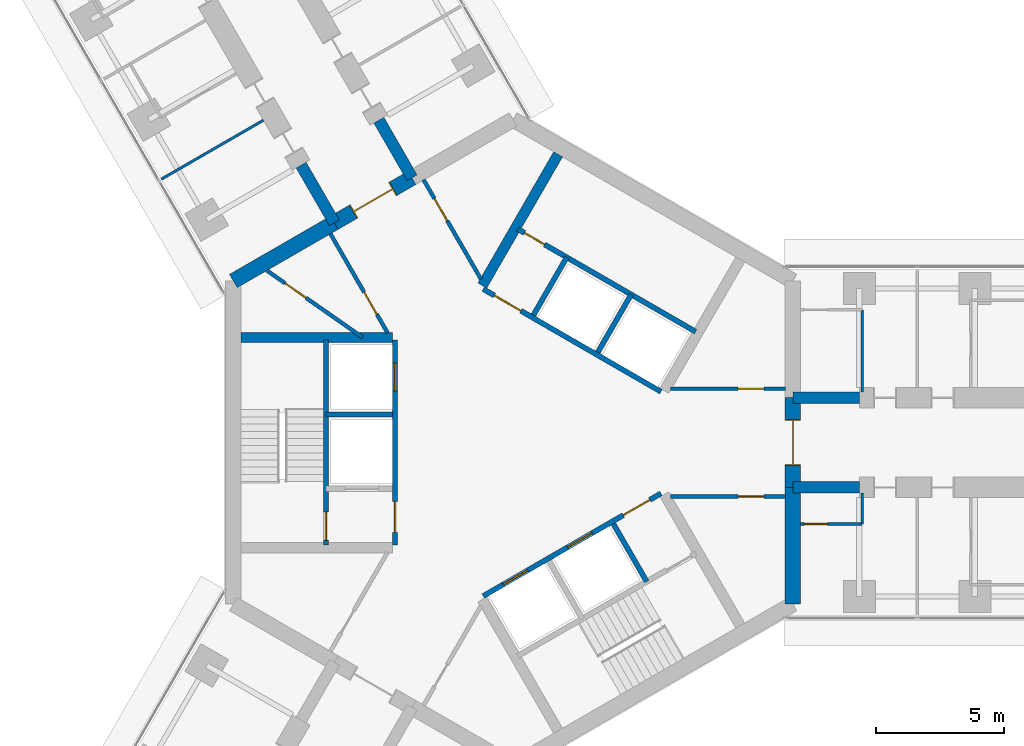
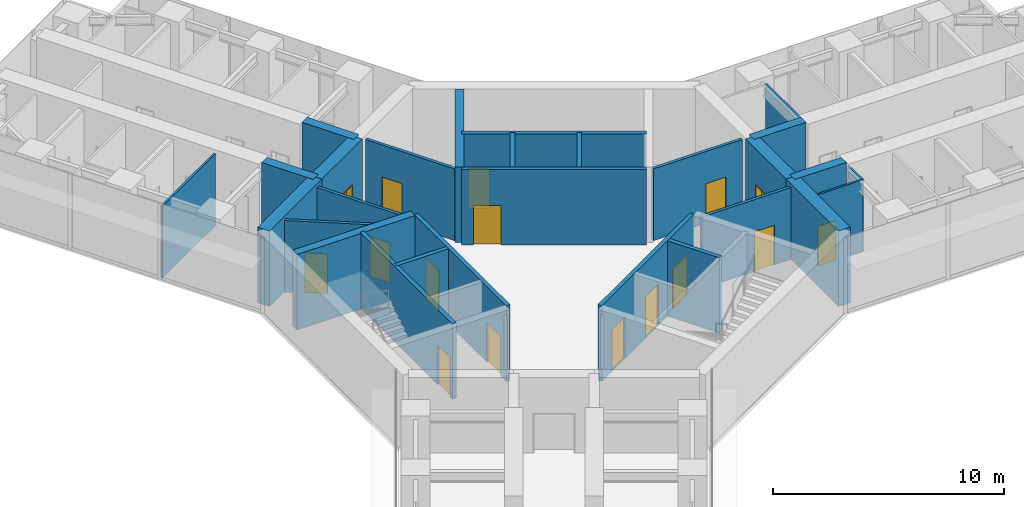
# One storey, part 16 of 23: 28 walls, 16 doors, 16 openings.
"""IFC4 building model written with IfcOpenShell, lengths in metres."""

from ifc_helpers import new_model, si_unit, direction, frame, frame_2d, origin, place, context, subcontext, project, spatial, rectangle, extrude, material, layer, layer_set, type_object, element, fill, save


model = new_model("IFC4")

# Units and contexts
model_context = context("Model", 3, precision=1e-05, world=origin(), true_north=direction((0.0, 1.0)))
body_context = subcontext(model_context, "Body", "Model", "MODEL_VIEW")
ifc_project = project(units=[si_unit("LENGTHUNIT", "METRE"), si_unit("AREAUNIT", "SQUARE_METRE"), si_unit("VOLUMEUNIT", "CUBIC_METRE"), si_unit("PLANEANGLEUNIT", "RADIAN"), si_unit("MASSUNIT", "GRAM", prefix="KILO")], contexts=[model_context])

# Site, building, storey
site_placement = place(None, origin())
site = spatial("IfcSite", under=ifc_project, at=site_placement, CompositionType="ELEMENT")
building_placement = place(site_placement, origin())
building = spatial("IfcBuilding", under=site, at=building_placement, Name="Upepo Twin Towers", CompositionType="ELEMENT")
storey_placement = place(building_placement, frame((0.0, 0.0, 157.5)))
storey = spatial("IfcBuildingStorey", under=building, at=storey_placement, Name="L38", CompositionType="ELEMENT", Elevation=157.5)

# Walls
ifc_material_1 = material(Name="Concrete C60/75", Category="concrete")
ifc_layer_1 = layer(ifc_material_1, 0.449951171875)
ifc_layer_set_1 = layer_set([ifc_layer_1], Name="Concrete C60/75")
wall_type_1 = type_object("IfcWallType", Name="Buttress wall 450 RC", PredefinedType="SHEAR", material=ifc_layer_set_1)
for number, where, z_axis, x_axis, name in (
    (1, (10.908447265625, 1.75, 0.0), (0.0, 0.0, 1.0), (1.0, 0.0, 0.0), "T1 wing A buttress wall L"),
    (2, (10.908447265625, -1.75, 0.0), (0.0, 0.0, 1.0), (1.0, 0.0, 0.0), "T1 wing A buttress wall R"),
):
    element("IfcWall", number, at=place(storey_placement, frame(where, z_axis=z_axis, x_axis=x_axis)), inside=storey, type_object=wall_type_1, Name=name, PredefinedType="SHEAR", context=body_context, shape_type="SweptSolid", body=[
        extrude(rectangle(XDim=2.591552734375, YDim=0.449951171875, at=frame_2d((1.2958984375, 0.0))), origin(), (0.0, 0.0, 1.0), 4.0),
    ])
for number, where, z_axis, x_axis, name in (
    (3, (-6.9697265625, 8.57177734375, 0.0), (0.0, 0.0, 1.0), (-0.499988811324, 0.866031863473, 0.0), "T1 wing B buttress wall L"),
    (4, (-3.938720703125, 10.32177734375, 0.0), (0.0, 0.0, 1.0), (-0.499918158782, 0.866072649678, 0.0), "T1 wing B buttress wall R"),
):
    element("IfcWall", number, at=place(storey_placement, frame(where, z_axis=z_axis, x_axis=x_axis)), inside=storey, type_object=wall_type_1, Name=name, PredefinedType="SHEAR", context=body_context, shape_type="SweptSolid", body=[
        extrude(rectangle(XDim=2.591796875, YDim=0.449951171875, at=frame_2d((1.2958984375, 0.0))), origin(), (0.0, 0.0, 1.0), 4.0),
    ])
ifc_material_2 = material(Name="Concrete C60/75", Category="concrete")
ifc_layer_2 = layer(ifc_material_2, 0.60009765625)
ifc_layer_set_2 = layer_set([ifc_layer_2], Name="Concrete C60/75")
wall_type_2 = type_object("IfcWallType", Name="Core wall 600 RC", PredefinedType="SHEAR", material=ifc_layer_set_2)
wall_1_placement = place(storey_placement, frame((10.908447265625, -6.2978515625, 0.0), z_axis=(0.0, 0.0, 1.0), x_axis=(0.0, 1.0, 0.0)))
element("IfcWall", 5, at=wall_1_placement, inside=storey, type_object=wall_type_2, Name="T1 core wall 000 R", PredefinedType="SHEAR", context=body_context, shape_type="SweptSolid", body=[
    extrude(rectangle(XDim=4.5478515625, YDim=0.60009765625, at=frame_2d((2.27392578125, 0.0))), origin(), (0.0, 0.0, 1.0), 4.0),
])

# Wall, opening, door
wall_2_placement = place(storey_placement, frame((10.908447265625, -1.75, 0.0), z_axis=(0.0, 0.0, 1.0), x_axis=(0.0, 1.0, 0.0)))
wall_2 = element("IfcWall", 6, at=wall_2_placement, inside=storey, type_object=wall_type_2, Name="T1 core wall 000", PredefinedType="SHEAR", context=body_context, shape_type="SweptSolid", body=[
    extrude(rectangle(XDim=3.5, YDim=0.60009765625, at=frame_2d((1.75, 0.0))), origin(), (0.0, 0.0, 1.0), 4.0),
])
opening_1_placement = place(wall_2_placement, frame((0.85009765625, 0.0, 0.0)))
opening_1 = element("IfcOpeningElement", 7, at=opening_1_placement, cuts=wall_2, Name="Opening D2", PredefinedType="OPENING", context=body_context, shape_type="SweptSolid", body=[
    extrude(rectangle(XDim=1.800048828125, YDim=2.10009765625, at=frame_2d((0.89990234375, 1.050048828125))), frame((0.0, 0.31005859375, 0.0), z_axis=(0.0, -1.0, 0.0), x_axis=(1.0, 0.0, 0.0)), (0.0, 0.0, 1.0), 0.6201171875),
])
ifc_material_3 = material(Name="Timber doorset", Category="wood")
door_type_1 = type_object("IfcDoorType", Name="Corridor double door 1800 FD60", OperationType="DOUBLE_DOOR_DOUBLE_SWING", PredefinedType="DOOR", material=ifc_material_3)
door_1_placement = place(opening_1_placement, origin())
door_1 = element("IfcDoor", 8, at=door_1_placement, inside=storey, type_object=door_type_1, Name="T1 L38 wing A corridor door", OperationType="DOUBLE_DOOR_DOUBLE_SWING", OverallHeight=2.10009765625, OverallWidth=1.800048828125, PredefinedType="DOOR", context=body_context, shape_type="SweptSolid", body=[
    extrude(rectangle(XDim=1.720048828125, YDim=2.06009765625, at=frame_2d((0.89990234375, 1.030029296875))), frame((0.0, 0.02490234375, 0.0), z_axis=(0.0, -1.0, 0.0), x_axis=(1.0, 0.0, 0.0)), (0.0, 0.0, 1.0), 0.050048828125),
    extrude(rectangle(XDim=0.04, YDim=2.10009765625, at=frame_2d((0.02001953125, 1.050048828125))), frame((0.0, 0.2998046875, 0.0), z_axis=(0.0, -1.0, 0.0), x_axis=(1.0, 0.0, 0.0)), (0.0, 0.0, 1.0), 0.599609375),
    extrude(rectangle(XDim=0.04, YDim=2.10009765625, at=frame_2d((1.780029296875, 1.050048828125))), frame((0.0, 0.2998046875, 0.0), z_axis=(0.0, -1.0, 0.0), x_axis=(1.0, 0.0, 0.0)), (0.0, 0.0, 1.0), 0.599609375),
    extrude(rectangle(XDim=1.720048828125, YDim=0.04, at=frame_2d((0.89990234375, 2.080078125))), frame((0.0, 0.2998046875, 0.0), z_axis=(0.0, -1.0, 0.0), x_axis=(1.0, 0.0, 0.0)), (0.0, 0.0, 1.0), 0.599609375),
])
fill(opening_1, door_1)

wall_3_placement = place(storey_placement, frame((-3.938720703125, 10.32177734375, 0.0), z_axis=(0.0, 0.0, 1.0), x_axis=(-0.866019471182, -0.500010275428, 0.0)))
wall_3 = element("IfcWall", 9, at=wall_3_placement, inside=storey, type_object=wall_type_2, Name="T1 core wall 120", PredefinedType="SHEAR", context=body_context, shape_type="SweptSolid", body=[
    extrude(rectangle(XDim=3.5, YDim=0.60009765625, at=frame_2d((1.75, 0.0))), origin(), (0.0, 0.0, 1.0), 4.0),
])
opening_2_placement = place(wall_3_placement, frame((0.85009765625, 0.0, 0.0)))
opening_2 = element("IfcOpeningElement", 10, at=opening_2_placement, cuts=wall_3, Name="Opening D2", PredefinedType="OPENING", context=body_context, shape_type="SweptSolid", body=[
    extrude(rectangle(XDim=1.800048828125, YDim=2.10009765625, at=frame_2d((0.89990234375, 1.050048828125))), frame((0.0, 0.31005859375, 0.0), z_axis=(0.0, -1.0, 0.0), x_axis=(1.0, 0.0, 0.0)), (0.0, 0.0, 1.0), 0.6201171875),
])
door_2_placement = place(opening_2_placement, origin())
door_2 = element("IfcDoor", 11, at=door_2_placement, inside=storey, type_object=door_type_1, Name="T1 L38 wing B corridor door", OperationType="DOUBLE_DOOR_DOUBLE_SWING", OverallHeight=2.10009765625, OverallWidth=1.800048828125, PredefinedType="DOOR", context=body_context, shape_type="SweptSolid", body=[
    extrude(rectangle(XDim=1.720048828125, YDim=2.06009765625, at=frame_2d((0.89990234375, 1.030029296875))), frame((0.0, 0.02490234375, 0.0), z_axis=(0.0, -1.0, 0.0), x_axis=(1.0, 0.0, 0.0)), (0.0, 0.0, 1.0), 0.050048828125),
    extrude(rectangle(XDim=0.04, YDim=2.10009765625, at=frame_2d((0.02001953125, 1.050048828125))), frame((0.0, 0.2998046875, 0.0), z_axis=(0.0, -1.0, 0.0), x_axis=(1.0, 0.0, 0.0)), (0.0, 0.0, 1.0), 0.599609375),
    extrude(rectangle(XDim=0.04, YDim=2.10009765625, at=frame_2d((1.780029296875, 1.050048828125))), frame((0.0, 0.2998046875, 0.0), z_axis=(0.0, -1.0, 0.0), x_axis=(1.0, 0.0, 0.0)), (0.0, 0.0, 1.0), 0.599609375),
    extrude(rectangle(XDim=1.720048828125, YDim=0.04, at=frame_2d((0.89990234375, 2.080078125))), frame((0.0, 0.2998046875, 0.0), z_axis=(0.0, -1.0, 0.0), x_axis=(1.0, 0.0, 0.0)), (0.0, 0.0, 1.0), 0.599609375),
])
fill(opening_2, door_2)

# Walls
wall_4_placement = place(storey_placement, frame((-6.9697265625, 8.57177734375, 0.0), z_axis=(0.0, 0.0, 1.0), x_axis=(-0.866034513004, -0.499984222037, 0.0)))
element("IfcWall", 12, at=wall_4_placement, inside=storey, type_object=wall_type_2, Name="T1 core wall 120 L", PredefinedType="SHEAR", context=body_context, shape_type="SweptSolid", body=[
    extrude(rectangle(XDim=4.548095703125, YDim=0.60009765625, at=frame_2d((2.27392578125, 0.0))), origin(), (0.0, 0.0, 1.0), 4.0),
])
ifc_material_4 = material(Name="Gypsum board on steel studs", Category="steel")
ifc_layer_3 = layer(ifc_material_4, 0.10009765625)
ifc_layer_set_3 = layer_set([ifc_layer_3], Name="Office partition 100 stud")
wall_type_3 = type_object("IfcWallType", Name="Office partition 100 stud", PredefinedType="PARTITIONING", material=ifc_layer_set_3)
wall_5_placement = place(storey_placement, frame((13.60791015625, 1.97509765625, 0.0), z_axis=(0.0, 0.0, 1.0), x_axis=(0.0, 1.0, 0.0)))
element("IfcWall", 13, at=wall_5_placement, inside=storey, type_object=wall_type_3, Name="T1 WC bay partition AL end at 13.61", PredefinedType="PARTITIONING", context=body_context, shape_type="SweptSolid", body=[
    extrude(rectangle(XDim=3.199951171875, YDim=0.10009765625, at=frame_2d((1.60009765625, 0.0))), origin(), (0.0, 0.0, 1.0), 3.800048828125),
])

# Wall, opening, door
wall_6_placement = place(storey_placement, frame((11.2080078125, -3.175048828125, 0.0), z_axis=(0.0, 0.0, 1.0), x_axis=(1.0, 0.0, 0.0)))
wall_6 = element("IfcWall", 14, at=wall_6_placement, inside=storey, type_object=wall_type_3, Name="T1 WC bay partition AR at 11.21", PredefinedType="PARTITIONING", context=body_context, shape_type="SweptSolid", body=[
    extrude(rectangle(XDim=2.39990234375, YDim=0.10009765625, at=frame_2d((1.199951171875, 0.0))), origin(), (0.0, 0.0, 1.0), 3.800048828125),
])
opening_3_placement = place(wall_6_placement, frame((0.14990234375, 0.0, 0.0)))
opening_3 = element("IfcOpeningElement", 15, at=opening_3_placement, cuts=wall_6, Name="Opening D14", PredefinedType="OPENING", context=body_context, shape_type="SweptSolid", body=[
    extrude(rectangle(XDim=0.89990234375, YDim=2.10009765625, at=frame_2d((0.449951171875, 1.050048828125))), frame((0.0, 0.06005859375, 0.0), z_axis=(0.0, -1.0, 0.0), x_axis=(1.0, 0.0, 0.0)), (0.0, 0.0, 1.0), 0.1201171875),
])
ifc_material_5 = material(Name="Timber doorset", Category="wood")
door_type_2 = type_object("IfcDoorType", Name="Office door 900 FD30", OperationType="SINGLE_SWING_LEFT", PredefinedType="DOOR", material=ifc_material_5)
door_3_placement = place(opening_3_placement, origin())
door_3 = element("IfcDoor", 16, at=door_3_placement, inside=storey, type_object=door_type_2, Name="T1 L38 WC bay inner room door", OperationType="SINGLE_SWING_LEFT", OverallHeight=2.10009765625, OverallWidth=0.89990234375, PredefinedType="DOOR", context=body_context, shape_type="SweptSolid", body=[
    extrude(rectangle(XDim=0.89990234375, YDim=2.10009765625, at=frame_2d((0.449951171875, 1.050048828125))), frame((0.0, 0.02490234375, 0.0), z_axis=(0.0, -1.0, 0.0), x_axis=(1.0, 0.0, 0.0)), (0.0, 0.0, 1.0), 0.050048828125),
])
fill(opening_3, door_3)

# Walls
wall_7_placement = place(storey_placement, frame((13.60791015625, -1.97509765625, 0.0), z_axis=(0.0, 0.0, 1.0), x_axis=(0.0, -1.0, 0.0)))
element("IfcWall", 17, at=wall_7_placement, inside=storey, type_object=wall_type_3, Name="T1 WC bay partition AR end at 13.61", PredefinedType="PARTITIONING", context=body_context, shape_type="SweptSolid", body=[
    extrude(rectangle(XDim=1.199951171875, YDim=0.10009765625, at=frame_2d((0.60009765625, 0.0))), origin(), (0.0, 0.0, 1.0), 3.800048828125),
])
wall_8_placement = place(storey_placement, frame((-9.737060546875, 12.56494140625, 0.0), z_axis=(0.0, 0.0, 1.0), x_axis=(-0.866016770315, -0.500014953309, 0.0)))
element("IfcWall", 18, at=wall_8_placement, inside=storey, type_object=wall_type_3, Name="T1 partition BL at 15.75", PredefinedType="PARTITIONING", context=body_context, shape_type="SweptSolid", body=[
    extrude(rectangle(XDim=4.599853515625, YDim=0.10009765625, at=frame_2d((2.2998046875, 0.0))), origin(), (0.0, 0.0, 1.0), 3.800048828125),
])

# Wall, opening, door
ifc_material_6 = material(Name="Concrete C40/50", Category="concrete")
ifc_layer_4 = layer(ifc_material_6, 0.199951171875)
ifc_layer_set_4 = layer_set([ifc_layer_4], Name="Concrete C40/50")
wall_type_4 = type_object("IfcWallType", Name="Shaft wall 200 RC", PredefinedType="SHEAR", material=ifc_layer_set_4)
wall_9_placement = place(storey_placement, frame((5.76416015625, 1.983642578125, 0.0), z_axis=(0.0, 0.0, 1.0), x_axis=(-0.866026010844, 0.49999894854, 0.0)))
wall_9 = element("IfcWall", 19, at=wall_9_placement, inside=storey, type_object=wall_type_4, Name="T1 core W60 front wall", PredefinedType="SHEAR", context=body_context, shape_type="SweptSolid", body=[
    extrude(rectangle(XDim=8.0, YDim=0.199951171875, at=frame_2d((4.0, 0.0))), origin(), (0.0, 0.0, 1.0), 4.0),
])
opening_4_placement = place(wall_9_placement, frame((6.300048828125, 0.0, 0.0)))
opening_4 = element("IfcOpeningElement", 20, at=opening_4_placement, cuts=wall_9, Name="Opening D4", PredefinedType="OPENING", context=body_context, shape_type="SweptSolid", body=[
    extrude(rectangle(XDim=1.199951171875, YDim=2.10009765625, at=frame_2d((0.60009765625, 1.050048828125))), frame((0.0, 0.10986328125, 0.0), z_axis=(0.0, -1.0, 0.0), x_axis=(1.0, 0.0, 0.0)), (0.0, 0.0, 1.0), 0.219970703125),
])
ifc_material_7 = material(Name="Timber doorset", Category="wood")
door_type_3 = type_object("IfcDoorType", Name="Lobby door 1200 FD60", OperationType="SINGLE_SWING_LEFT", PredefinedType="DOOR", material=ifc_material_7)
door_4_placement = place(opening_4_placement, origin())
door_4 = element("IfcDoor", 21, at=door_4_placement, inside=storey, type_object=door_type_3, Name="T1 L38 W60 lobby door", OperationType="SINGLE_SWING_RIGHT", OverallHeight=2.10009765625, OverallWidth=1.199951171875, PredefinedType="DOOR", context=body_context, shape_type="SweptSolid", body=[
    extrude(rectangle(XDim=1.199951171875, YDim=2.10009765625, at=frame_2d((0.60009765625, 1.050048828125))), frame((0.0, 0.02490234375, 0.0), z_axis=(0.0, -1.0, 0.0), x_axis=(1.0, 0.0, 0.0)), (0.0, 0.0, 1.0), 0.050048828125),
])
fill(opening_4, door_4)

# Walls
for number, where, z_axis, x_axis, name in (
    (22, (3.302734375, 3.520263671875, 0.0), (0.0, 0.0, 1.0), (0.499936506574, 0.866062058628, 0.0), "T1 core W60 shaft divider"),
    (23, (0.791259765625, 4.97021484375, 0.0), (0.0, 0.0, 1.0), (0.499936506574, 0.866062058628, 0.0), "T1 core W60 lobby wall"),
):
    element("IfcWall", number, at=place(storey_placement, frame(where, z_axis=z_axis, x_axis=x_axis)), inside=storey, type_object=wall_type_4, Name=name, PredefinedType="SHEAR", context=body_context, shape_type="SweptSolid", body=[
        extrude(rectangle(XDim=2.599853515625, YDim=0.199951171875, at=frame_2d((1.2998046875, 0.0))), origin(), (0.0, 0.0, 1.0), 4.0),
    ])

# Wall, opening, door
wall_10_placement = place(storey_placement, frame((7.114013671875, 4.322021484375, 0.0), z_axis=(0.0, 0.0, 1.0), x_axis=(-0.866026010844, 0.49999894854, 0.0)))
wall_10 = element("IfcWall", 24, at=wall_10_placement, inside=storey, type_object=wall_type_4, Name="T1 core W60 stair wall", PredefinedType="SHEAR", context=body_context, shape_type="SweptSolid", body=[
    extrude(rectangle(XDim=8.0, YDim=0.199951171875, at=frame_2d((4.0, 0.0))), origin(), (0.0, 0.0, 1.0), 4.0),
])
opening_5_placement = place(wall_10_placement, frame((6.800048828125, 0.0, 0.0)))
opening_5 = element("IfcOpeningElement", 25, at=opening_5_placement, cuts=wall_10, Name="Opening D9", PredefinedType="OPENING", context=body_context, shape_type="SweptSolid", body=[
    extrude(rectangle(XDim=0.89990234375, YDim=2.10009765625, at=frame_2d((0.449951171875, 1.050048828125))), frame((0.0, 0.10986328125, 0.0), z_axis=(0.0, -1.0, 0.0), x_axis=(1.0, 0.0, 0.0)), (0.0, 0.0, 1.0), 0.219970703125),
])
ifc_material_8 = material(Name="Timber doorset", Category="wood")
door_type_4 = type_object("IfcDoorType", Name="Riser door 900 FD60", OperationType="SINGLE_SWING_LEFT", PredefinedType="DOOR", material=ifc_material_8)
door_5_placement = place(opening_5_placement, origin())
door_5 = element("IfcDoor", 26, at=door_5_placement, inside=storey, type_object=door_type_4, Name="T1 L38 riser door", OperationType="SINGLE_SWING_RIGHT", OverallHeight=2.10009765625, OverallWidth=0.89990234375, PredefinedType="DOOR", context=body_context, shape_type="SweptSolid", body=[
    extrude(rectangle(XDim=0.89990234375, YDim=2.10009765625, at=frame_2d((0.449951171875, 1.050048828125))), frame((0.0, 0.02490234375, 0.0), z_axis=(0.0, -1.0, 0.0), x_axis=(1.0, 0.0, 0.0)), (0.0, 0.0, 1.0), 0.050048828125),
])
fill(opening_5, door_5)

# Wall, openings, doors
wall_11_placement = place(storey_placement, frame((-4.60009765625, 4.0, 0.0), z_axis=(0.0, 0.0, 1.0), x_axis=(0.0, -1.0, 0.0)))
wall_11 = element("IfcWall", 27, at=wall_11_placement, inside=storey, type_object=wall_type_4, Name="T1 core W180 front wall", PredefinedType="SHEAR", context=body_context, shape_type="SweptSolid", body=[
    extrude(rectangle(XDim=8.0, YDim=0.199951171875, at=frame_2d((4.0, 0.0))), origin(), (0.0, 0.0, 1.0), 4.0),
])
opening_6_placement = place(wall_11_placement, frame((6.300048828125, 0.0, 0.0)))
opening_6 = element("IfcOpeningElement", 28, at=opening_6_placement, cuts=wall_11, Name="Opening D4", PredefinedType="OPENING", context=body_context, shape_type="SweptSolid", body=[
    extrude(rectangle(XDim=1.199951171875, YDim=2.10009765625, at=frame_2d((0.60009765625, 1.050048828125))), frame((0.0, 0.10986328125, 0.0), z_axis=(0.0, -1.0, 0.0), x_axis=(1.0, 0.0, 0.0)), (0.0, 0.0, 1.0), 0.219970703125),
])
opening_7_placement = place(wall_11_placement, frame((0.89990234375, 0.0, 0.0)))
opening_7 = element("IfcOpeningElement", 29, at=opening_7_placement, cuts=wall_11, Name="Opening LD1", PredefinedType="OPENING", context=body_context, shape_type="SweptSolid", body=[
    extrude(rectangle(XDim=1.10009765625, YDim=2.199951171875, at=frame_2d((0.550048828125, 1.10009765625))), frame((0.0, 0.10986328125, 0.0), z_axis=(0.0, -1.0, 0.0), x_axis=(1.0, 0.0, 0.0)), (0.0, 0.0, 1.0), 0.219970703125),
])
ifc_material_9 = material(Name="Steel doorset", Category="steel")
door_type_5 = type_object("IfcDoorType", Name="Lift landing door 1100", OperationType="DOUBLE_DOOR_SLIDING", PredefinedType="DOOR", material=ifc_material_9)
door_6_placement = place(opening_7_placement, origin())
door_6 = element("IfcDoor", 30, at=door_6_placement, inside=storey, type_object=door_type_5, Name="T1 L38 lift SV1 landing door", OperationType="DOUBLE_DOOR_SLIDING", OverallHeight=2.199951171875, OverallWidth=1.10009765625, PredefinedType="DOOR", context=body_context, shape_type="SweptSolid", body=[
    extrude(rectangle(XDim=1.10009765625, YDim=2.199951171875, at=frame_2d((0.550048828125, 1.10009765625))), frame((0.0, 0.02490234375, 0.0), z_axis=(0.0, -1.0, 0.0), x_axis=(1.0, 0.0, 0.0)), (0.0, 0.0, 1.0), 0.050048828125),
])
fill(opening_7, door_6)
door_7_placement = place(opening_6_placement, origin())
door_7 = element("IfcDoor", 31, at=door_7_placement, inside=storey, type_object=door_type_3, Name="T1 L38 W180 lobby door", OperationType="SINGLE_SWING_RIGHT", OverallHeight=2.10009765625, OverallWidth=1.199951171875, PredefinedType="DOOR", context=body_context, shape_type="SweptSolid", body=[
    extrude(rectangle(XDim=1.199951171875, YDim=2.10009765625, at=frame_2d((0.60009765625, 1.050048828125))), frame((0.0, 0.02490234375, 0.0), z_axis=(0.0, -1.0, 0.0), x_axis=(1.0, 0.0, 0.0)), (0.0, 0.0, 1.0), 0.050048828125),
])
fill(opening_6, door_7)

# Wall
wall_12_placement = place(storey_placement, frame((-4.699951171875, 1.10009765625, 0.0), z_axis=(0.0, 0.0, 1.0), x_axis=(-1.0, 0.0, 0.0)))
element("IfcWall", 32, at=wall_12_placement, inside=storey, type_object=wall_type_4, Name="T1 core W180 shaft divider", PredefinedType="SHEAR", context=body_context, shape_type="SweptSolid", body=[
    extrude(rectangle(XDim=2.60009765625, YDim=0.199951171875, at=frame_2d((1.300048828125, 0.0))), origin(), (0.0, 0.0, 1.0), 4.0),
])

# Wall, opening, door
wall_13_placement = place(storey_placement, frame((-7.300048828125, 4.0, 0.0), z_axis=(0.0, 0.0, 1.0), x_axis=(0.0, -1.0, 0.0)))
wall_13 = element("IfcWall", 33, at=wall_13_placement, inside=storey, type_object=wall_type_4, Name="T1 core W180 stair wall", PredefinedType="SHEAR", context=body_context, shape_type="SweptSolid", body=[
    extrude(rectangle(XDim=8.0, YDim=0.199951171875, at=frame_2d((4.0, 0.0))), origin(), (0.0, 0.0, 1.0), 4.0),
])
opening_8_placement = place(wall_13_placement, frame((6.699951171875, 0.0, 0.0)))
opening_8 = element("IfcOpeningElement", 34, at=opening_8_placement, cuts=wall_13, Name="Opening D3", PredefinedType="OPENING", context=body_context, shape_type="SweptSolid", body=[
    extrude(rectangle(XDim=1.10009765625, YDim=2.10009765625, at=frame_2d((0.550048828125, 1.050048828125))), frame((0.0, 0.10986328125, 0.0), z_axis=(0.0, -1.0, 0.0), x_axis=(1.0, 0.0, 0.0)), (0.0, 0.0, 1.0), 0.219970703125),
])
ifc_material_10 = material(Name="Timber doorset", Category="wood")
door_type_6 = type_object("IfcDoorType", Name="Stair door 1100 FD60", OperationType="SINGLE_SWING_LEFT", PredefinedType="DOOR", material=ifc_material_10)
door_8_placement = place(opening_8_placement, origin())
door_8 = element("IfcDoor", 35, at=door_8_placement, inside=storey, type_object=door_type_6, Name="T1 L38 stair door", OperationType="SINGLE_SWING_RIGHT", OverallHeight=2.10009765625, OverallWidth=1.10009765625, PredefinedType="DOOR", context=body_context, shape_type="SweptSolid", body=[
    extrude(rectangle(XDim=1.10009765625, YDim=2.10009765625, at=frame_2d((0.550048828125, 1.050048828125))), frame((0.0, 0.02490234375, 0.0), z_axis=(0.0, -1.0, 0.0), x_axis=(1.0, 0.0, 0.0)), (0.0, 0.0, 1.0), 0.050048828125),
])
fill(opening_8, door_8)

# Wall, openings, doors
wall_14_placement = place(storey_placement, frame((-1.1640625, -5.983642578125, 0.0), z_axis=(0.0, 0.0, 1.0), x_axis=(0.866026010844, 0.49999894854, 0.0)))
wall_14 = element("IfcWall", 36, at=wall_14_placement, inside=storey, type_object=wall_type_4, Name="T1 core W300 front wall", PredefinedType="SHEAR", context=body_context, shape_type="SweptSolid", body=[
    extrude(rectangle(XDim=8.0, YDim=0.199951171875, at=frame_2d((4.0, 0.0))), origin(), (0.0, 0.0, 1.0), 4.0),
])
opening_9_placement = place(wall_14_placement, frame((6.300048828125, 0.0, 0.0)))
opening_9 = element("IfcOpeningElement", 37, at=opening_9_placement, cuts=wall_14, Name="Opening D4", PredefinedType="OPENING", context=body_context, shape_type="SweptSolid", body=[
    extrude(rectangle(XDim=1.199951171875, YDim=2.10009765625, at=frame_2d((0.60009765625, 1.050048828125))), frame((0.0, 0.10986328125, 0.0), z_axis=(0.0, -1.0, 0.0), x_axis=(1.0, 0.0, 0.0)), (0.0, 0.0, 1.0), 0.219970703125),
])
opening_10_placement = place(wall_14_placement, frame((0.89990234375, 0.0, 0.0)))
opening_10 = element("IfcOpeningElement", 38, at=opening_10_placement, cuts=wall_14, Name="Opening LD1", PredefinedType="OPENING", context=body_context, shape_type="SweptSolid", body=[
    extrude(rectangle(XDim=1.10009765625, YDim=2.199951171875, at=frame_2d((0.550048828125, 1.10009765625))), frame((0.0, 0.10986328125, 0.0), z_axis=(0.0, -1.0, 0.0), x_axis=(1.0, 0.0, 0.0)), (0.0, 0.0, 1.0), 0.219970703125),
])
opening_11_placement = place(wall_14_placement, frame((3.800048828125, 0.0, 0.0)))
opening_11 = element("IfcOpeningElement", 39, at=opening_11_placement, cuts=wall_14, Name="Opening LD1", PredefinedType="OPENING", context=body_context, shape_type="SweptSolid", body=[
    extrude(rectangle(XDim=1.10009765625, YDim=2.199951171875, at=frame_2d((0.550048828125, 1.10009765625))), frame((0.0, 0.10986328125, 0.0), z_axis=(0.0, -1.0, 0.0), x_axis=(1.0, 0.0, 0.0)), (0.0, 0.0, 1.0), 0.219970703125),
])
door_9_placement = place(opening_10_placement, origin())
door_9 = element("IfcDoor", 40, at=door_9_placement, inside=storey, type_object=door_type_5, Name="T1 L38 lift ML1 landing door", OperationType="DOUBLE_DOOR_SLIDING", OverallHeight=2.199951171875, OverallWidth=1.10009765625, PredefinedType="DOOR", context=body_context, shape_type="SweptSolid", body=[
    extrude(rectangle(XDim=1.10009765625, YDim=2.199951171875, at=frame_2d((0.550048828125, 1.10009765625))), frame((0.0, 0.02490234375, 0.0), z_axis=(0.0, -1.0, 0.0), x_axis=(1.0, 0.0, 0.0)), (0.0, 0.0, 1.0), 0.050048828125),
])
fill(opening_10, door_9)
door_10_placement = place(opening_11_placement, origin())
door_10 = element("IfcDoor", 41, at=door_10_placement, inside=storey, type_object=door_type_5, Name="T1 L38 lift ML2 landing door", OperationType="DOUBLE_DOOR_SLIDING", OverallHeight=2.199951171875, OverallWidth=1.10009765625, PredefinedType="DOOR", context=body_context, shape_type="SweptSolid", body=[
    extrude(rectangle(XDim=1.10009765625, YDim=2.199951171875, at=frame_2d((0.550048828125, 1.10009765625))), frame((0.0, 0.02490234375, 0.0), z_axis=(0.0, -1.0, 0.0), x_axis=(1.0, 0.0, 0.0)), (0.0, 0.0, 1.0), 0.050048828125),
])
fill(opening_11, door_10)
door_11_placement = place(opening_9_placement, origin())
door_11 = element("IfcDoor", 42, at=door_11_placement, inside=storey, type_object=door_type_3, Name="T1 L38 W300 lobby door", OperationType="SINGLE_SWING_RIGHT", OverallHeight=2.10009765625, OverallWidth=1.199951171875, PredefinedType="DOOR", context=body_context, shape_type="SweptSolid", body=[
    extrude(rectangle(XDim=1.199951171875, YDim=2.10009765625, at=frame_2d((0.60009765625, 1.050048828125))), frame((0.0, 0.02490234375, 0.0), z_axis=(0.0, -1.0, 0.0), x_axis=(1.0, 0.0, 0.0)), (0.0, 0.0, 1.0), 0.050048828125),
])
fill(opening_9, door_11)

# Walls
wall_15_placement = place(storey_placement, frame((3.908935546875, -3.17041015625, 0.0), z_axis=(0.0, 0.0, 1.0), x_axis=(0.49997716683, -0.86603858612, 0.0)))
element("IfcWall", 43, at=wall_15_placement, inside=storey, type_object=wall_type_4, Name="T1 core W300 lobby wall", PredefinedType="SHEAR", context=body_context, shape_type="SweptSolid", body=[
    extrude(rectangle(XDim=2.599609375, YDim=0.199951171875, at=frame_2d((1.2998046875, 0.0))), origin(), (0.0, 0.0, 1.0), 4.0),
])
ifc_material_11 = material(Name="Concrete C40/50", Category="concrete")
ifc_layer_5 = layer(ifc_material_11, 0.39990234375)
ifc_layer_set_5 = layer_set([ifc_layer_5], Name="Concrete C40/50")
wall_type_5 = type_object("IfcWallType", Name="Shaft wall 400 RC", PredefinedType="SHEAR", material=ifc_layer_set_5)
wall_16_placement = place(storey_placement, frame((-1.20068359375, 6.120361328125, 0.0), z_axis=(0.0, 0.0, 1.0), x_axis=(0.49999668571, 0.866027317282, 0.0)))
element("IfcWall", 44, at=wall_16_placement, inside=storey, type_object=wall_type_5, Name="T1 core W60 side wall N", PredefinedType="SHEAR", context=body_context, shape_type="SweptSolid", body=[
    extrude(rectangle(XDim=5.908203125, YDim=0.39990234375, at=frame_2d((2.9541015625, 0.0))), origin(), (0.0, 0.0, 1.0), 4.0),
])
wall_17_placement = place(storey_placement, frame((-4.699951171875, 4.10009765625, 0.0), z_axis=(0.0, 0.0, 1.0), x_axis=(-1.0, 0.0, 0.0)))
element("IfcWall", 45, at=wall_17_placement, inside=storey, type_object=wall_type_5, Name="T1 core W180 side wall S", PredefinedType="SHEAR", context=body_context, shape_type="SweptSolid", body=[
    extrude(rectangle(XDim=5.908447265625, YDim=0.39990234375, at=frame_2d((2.9541015625, 0.0))), origin(), (0.0, 0.0, 1.0), 4.0),
])

# Wall, opening, door
ifc_material_12 = material(Name="Gypsum board on steel studs", Category="steel")
ifc_layer_6 = layer(ifc_material_12, 0.14990234375)
ifc_layer_set_6 = layer_set([ifc_layer_6], Name="Teaching partition 150 acoustic")
wall_type_6 = type_object("IfcWallType", Name="Teaching partition 150 acoustic", PredefinedType="PARTITIONING", material=ifc_layer_set_6)
wall_18_placement = place(storey_placement, frame((-4.889892578125, 4.269775390625, 0.0), z_axis=(0.0, 0.0, 1.0), x_axis=(-0.499999473313, 0.866025707867, 0.0)))
wall_18 = element("IfcWall", 46, at=wall_18_placement, inside=storey, type_object=wall_type_6, Name="T1 core room partition 3", PredefinedType="PARTITIONING", context=body_context, shape_type="SweptSolid", body=[
    extrude(rectangle(XDim=4.4755859375, YDim=0.14990234375, at=frame_2d((2.23779296875, 0.0))), origin(), (0.0, 0.0, 1.0), 3.800048828125),
])
opening_12_placement = place(wall_18_placement, frame((0.8427734375, 0.0, 0.0)))
opening_12 = element("IfcOpeningElement", 47, at=opening_12_placement, cuts=wall_18, Name="Opening D1", PredefinedType="OPENING", context=body_context, shape_type="SweptSolid", body=[
    extrude(rectangle(XDim=1.0, YDim=2.10009765625, at=frame_2d((0.5, 1.050048828125))), frame((0.0, 0.0849609375, 0.0), z_axis=(0.0, -1.0, 0.0), x_axis=(1.0, 0.0, 0.0)), (0.0, 0.0, 1.0), 0.169921875),
])
ifc_material_13 = material(Name="Timber doorset", Category="wood")
door_type_7 = type_object("IfcDoorType", Name="Room door 1000 FD30", OperationType="SINGLE_SWING_LEFT", PredefinedType="DOOR", material=ifc_material_13)
door_12_placement = place(opening_12_placement, origin())
door_12 = element("IfcDoor", 48, at=door_12_placement, inside=storey, type_object=door_type_7, Name="T1 L38 core room door K7", OperationType="SINGLE_SWING_LEFT", OverallHeight=2.10009765625, OverallWidth=1.0, PredefinedType="DOOR", context=body_context, shape_type="SweptSolid", body=[
    extrude(rectangle(XDim=1.0, YDim=2.10009765625, at=frame_2d((0.5, 1.050048828125))), frame((0.0, 0.02490234375, 0.0), z_axis=(0.0, -1.0, 0.0), x_axis=(1.0, 0.0, 0.0)), (0.0, 0.0, 1.0), 0.050048828125),
])
fill(opening_12, door_12)

wall_19_placement = place(storey_placement, frame((-3.490478515625, 10.24560546875, 0.0), z_axis=(0.0, 0.0, 1.0), x_axis=(0.499999473313, -0.866025707867, 0.0)))
wall_19 = element("IfcWall", 49, at=wall_19_placement, inside=storey, type_object=wall_type_6, Name="T1 core room partition 4", PredefinedType="PARTITIONING", context=body_context, shape_type="SweptSolid", body=[
    extrude(rectangle(XDim=4.4755859375, YDim=0.14990234375, at=frame_2d((2.23779296875, 0.0))), origin(), (0.0, 0.0, 1.0), 3.800048828125),
])
opening_13_placement = place(wall_19_placement, frame((0.8427734375, 0.0, 0.0)))
opening_13 = element("IfcOpeningElement", 50, at=opening_13_placement, cuts=wall_19, Name="Opening D1", PredefinedType="OPENING", context=body_context, shape_type="SweptSolid", body=[
    extrude(rectangle(XDim=1.0, YDim=2.10009765625, at=frame_2d((0.5, 1.050048828125))), frame((0.0, 0.0849609375, 0.0), z_axis=(0.0, -1.0, 0.0), x_axis=(1.0, 0.0, 0.0)), (0.0, 0.0, 1.0), 0.169921875),
])
door_13_placement = place(opening_13_placement, origin())
door_13 = element("IfcDoor", 51, at=door_13_placement, inside=storey, type_object=door_type_7, Name="T1 L38 core room door K5", OperationType="SINGLE_SWING_LEFT", OverallHeight=2.10009765625, OverallWidth=1.0, PredefinedType="DOOR", context=body_context, shape_type="SweptSolid", body=[
    extrude(rectangle(XDim=1.0, YDim=2.10009765625, at=frame_2d((0.5, 1.050048828125))), frame((0.0, 0.02490234375, 0.0), z_axis=(0.0, -1.0, 0.0), x_axis=(1.0, 0.0, 0.0)), (0.0, 0.0, 1.0), 0.050048828125),
])
fill(opening_13, door_13)

wall_20_placement = place(storey_placement, frame((6.142578125, 2.10009765625, 0.0), z_axis=(0.0, 0.0, 1.0), x_axis=(1.0, 0.0, 0.0)))
wall_20 = element("IfcWall", 52, at=wall_20_placement, inside=storey, type_object=wall_type_6, Name="T1 core room partition 5", PredefinedType="PARTITIONING", context=body_context, shape_type="SweptSolid", body=[
    extrude(rectangle(XDim=4.475830078125, YDim=0.14990234375, at=frame_2d((2.23779296875, 0.0))), origin(), (0.0, 0.0, 1.0), 3.800048828125),
])
opening_14_placement = place(wall_20_placement, frame((2.6328125, 0.0, 0.0)))
opening_14 = element("IfcOpeningElement", 53, at=opening_14_placement, cuts=wall_20, Name="Opening D1", PredefinedType="OPENING", context=body_context, shape_type="SweptSolid", body=[
    extrude(rectangle(XDim=1.0, YDim=2.10009765625, at=frame_2d((0.5, 1.050048828125))), frame((0.0, 0.0849609375, 0.0), z_axis=(0.0, -1.0, 0.0), x_axis=(1.0, 0.0, 0.0)), (0.0, 0.0, 1.0), 0.169921875),
])
door_14_placement = place(opening_14_placement, origin())
door_14 = element("IfcDoor", 54, at=door_14_placement, inside=storey, type_object=door_type_7, Name="T1 L38 core room door K4", OperationType="SINGLE_SWING_RIGHT", OverallHeight=2.10009765625, OverallWidth=1.0, PredefinedType="DOOR", context=body_context, shape_type="SweptSolid", body=[
    extrude(rectangle(XDim=1.0, YDim=2.10009765625, at=frame_2d((0.5, 1.050048828125))), frame((0.0, 0.02490234375, 0.0), z_axis=(0.0, -1.0, 0.0), x_axis=(1.0, 0.0, 0.0)), (0.0, 0.0, 1.0), 0.050048828125),
])
fill(opening_14, door_14)

wall_21_placement = place(storey_placement, frame((10.618408203125, -2.10009765625, 0.0), z_axis=(0.0, 0.0, 1.0), x_axis=(-1.0, 0.0, 0.0)))
wall_21 = element("IfcWall", 55, at=wall_21_placement, inside=storey, type_object=wall_type_6, Name="T1 core room partition 6", PredefinedType="PARTITIONING", context=body_context, shape_type="SweptSolid", body=[
    extrude(rectangle(XDim=4.475830078125, YDim=0.14990234375, at=frame_2d((2.23779296875, 0.0))), origin(), (0.0, 0.0, 1.0), 3.800048828125),
])
opening_15_placement = place(wall_21_placement, frame((0.8427734375, 0.0, 0.0)))
opening_15 = element("IfcOpeningElement", 56, at=opening_15_placement, cuts=wall_21, Name="Opening D1", PredefinedType="OPENING", context=body_context, shape_type="SweptSolid", body=[
    extrude(rectangle(XDim=1.0, YDim=2.10009765625, at=frame_2d((0.5, 1.050048828125))), frame((0.0, 0.0849609375, 0.0), z_axis=(0.0, -1.0, 0.0), x_axis=(1.0, 0.0, 0.0)), (0.0, 0.0, 1.0), 0.169921875),
])
door_15_placement = place(opening_15_placement, origin())
door_15 = element("IfcDoor", 57, at=door_15_placement, inside=storey, type_object=door_type_7, Name="T1 L38 core room door K3", OperationType="SINGLE_SWING_LEFT", OverallHeight=2.10009765625, OverallWidth=1.0, PredefinedType="DOOR", context=body_context, shape_type="SweptSolid", body=[
    extrude(rectangle(XDim=1.0, YDim=2.10009765625, at=frame_2d((0.5, 1.050048828125))), frame((0.0, 0.02490234375, 0.0), z_axis=(0.0, -1.0, 0.0), x_axis=(1.0, 0.0, 0.0)), (0.0, 0.0, 1.0), 0.050048828125),
])
fill(opening_15, door_15)

wall_22_placement = place(storey_placement, frame((-5.869384765625, 4.10009765625, 0.0), z_axis=(0.0, 0.0, 1.0), x_axis=(-0.819788459852, 0.572666465836, 0.0)))
wall_22 = element("IfcWall", 58, at=wall_22_placement, inside=storey, type_object=wall_type_6, Name="T1 core room partition 7", PredefinedType="PARTITIONING", context=body_context, shape_type="SweptSolid", body=[
    extrude(rectangle(XDim=4.551513671875, YDim=0.14990234375, at=frame_2d((2.27587890625, 0.0))), origin(), (0.0, 0.0, 1.0), 3.800048828125),
])
opening_16_placement = place(wall_22_placement, frame((2.68603515625, 0.0, 0.0)))
opening_16 = element("IfcOpeningElement", 59, at=opening_16_placement, cuts=wall_22, Name="Opening D1", PredefinedType="OPENING", context=body_context, shape_type="SweptSolid", body=[
    extrude(rectangle(XDim=1.0, YDim=2.10009765625, at=frame_2d((0.5, 1.050048828125))), frame((0.0, 0.0849609375, 0.0), z_axis=(0.0, -1.0, 0.0), x_axis=(1.0, 0.0, 0.0)), (0.0, 0.0, 1.0), 0.169921875),
])
door_16_placement = place(opening_16_placement, origin())
door_16 = element("IfcDoor", 60, at=door_16_placement, inside=storey, type_object=door_type_7, Name="T1 L38 core room door K6", OperationType="SINGLE_SWING_RIGHT", OverallHeight=2.10009765625, OverallWidth=1.0, PredefinedType="DOOR", context=body_context, shape_type="SweptSolid", body=[
    extrude(rectangle(XDim=1.0, YDim=2.10009765625, at=frame_2d((0.5, 1.050048828125))), frame((0.0, 0.02490234375, 0.0), z_axis=(0.0, -1.0, 0.0), x_axis=(1.0, 0.0, 0.0)), (0.0, 0.0, 1.0), 0.050048828125),
])
fill(opening_16, door_16)

save(model, "model.ifc")
